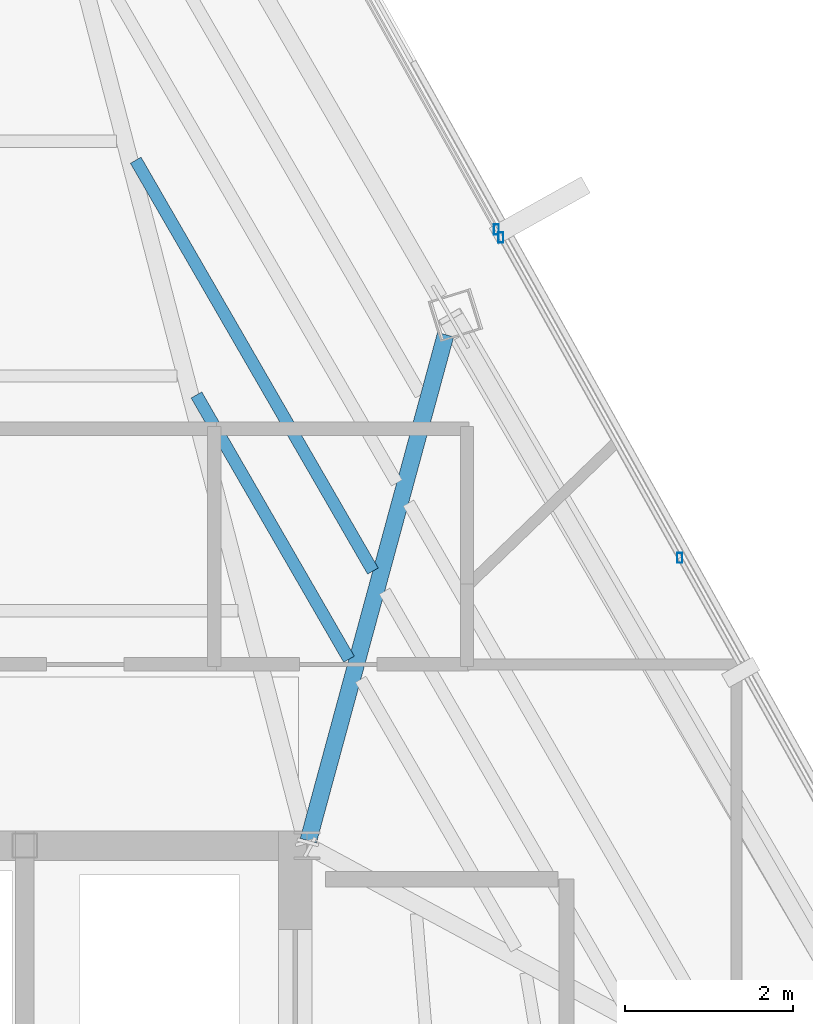
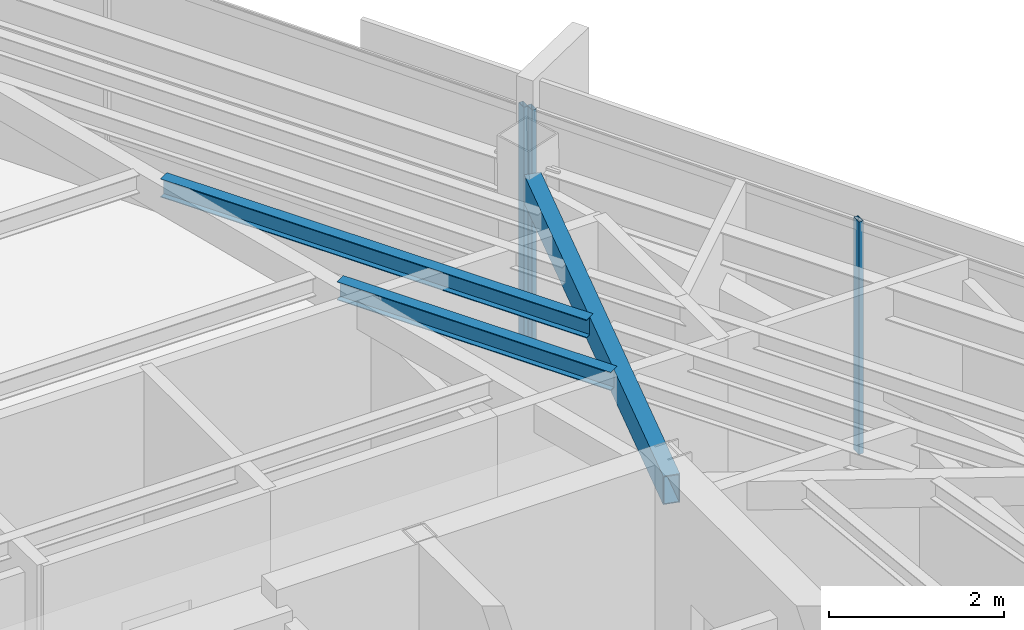
# One storey, part 31 of 44: 3 beams, 3 members, 2 elements without a shape of their own.
"""IFC4 building model written with IfcOpenShell, lengths in metres."""

from ifc_helpers import new_model, si_unit, direction, frame, origin, origin_2d, place, context, subcontext, project, spatial, hollow_rectangle, i_section, extrude, source, transform, mapped, material, material_profile, profile_set, type_object, type_shapes, element, aggregate, save


model = new_model("IFC4")

# Units and contexts
model_context = context("Model", 3, precision=1e-05, world=origin(), true_north=direction((0.0, 1.0)))
body_context = subcontext(model_context, "Body", "Model", "MODEL_VIEW")
ifc_project = project(units=[si_unit("LENGTHUNIT", "METRE"), si_unit("AREAUNIT", "SQUARE_METRE"), si_unit("VOLUMEUNIT", "CUBIC_METRE"), si_unit("PLANEANGLEUNIT", "RADIAN"), si_unit("MASSUNIT", "GRAM", prefix="KILO")], contexts=[model_context])

# Site, building, storey
site_placement = place(None, origin())
site = spatial("IfcSite", under=ifc_project, at=site_placement, CompositionType="ELEMENT")
building_placement = place(site_placement, origin())
building = spatial("IfcBuilding", under=site, at=building_placement, Name="Caelisora Broadcast Tower", CompositionType="ELEMENT")
storey_placement = place(building_placement, frame((0.0, 0.0, 280.949951171875)))
storey = spatial("IfcBuildingStorey", under=building, at=storey_placement, Name="L74", CompositionType="ELEMENT", Elevation=280.949951171875)

# Beams
ifc_material_1 = material(Name="Steel Grade 350 (AS/NZS 1163 C350L0)", Category="steel")
ifc_material_profile_1 = material_profile(ifc_material_1, hollow_rectangle(XDim=0.199951171875, YDim=0.39990234375, WallThickness=0.012451171875, at=origin_2d()), Name="Steel Grade 350 (AS/NZS 1163 C350L0)")
ifc_profile_set_1 = profile_set([ifc_material_profile_1], Name="Steel Grade 350 (AS/NZS 1163 C350L0)")
beam_type_1 = type_object("IfcBeamType", Name="PG07", PredefinedType="BEAM", material=ifc_profile_set_1)
shared_shape_1 = source(origin(), body_context, "Body", "SweptSolid", [
    extrude(hollow_rectangle(XDim=0.199951171875, YDim=0.39990234375, WallThickness=0.012451171875, at=origin_2d()), origin(), (0.0, 0.0, 1.0), 6.22509765625),
])
type_shapes(beam_type_1, [shared_shape_1])
beam_1_placement = place(storey_placement, frame((45.515625, 30.057861328125, 3.050048828125), z_axis=(0.261902623639, 0.965094304061, 0.0), x_axis=(-0.965094304061, 0.261902623639, 0.0)))
element("IfcBeam", 1, at=beam_1_placement, inside=storey, type_object=beam_type_1, Name="L74 beam PG07", PredefinedType="BEAM", context=body_context, shape_type="MappedRepresentation", body=[
    mapped(shared_shape_1, transform((0.0, 0.0, 0.0), scale=1.0)),
])
ifc_material_2 = material(Name="Steel Grade 350 (AS/NZS 3679.1)", Category="steel")
ifc_material_profile_2 = material_profile(ifc_material_2, i_section(OverallWidth=0.14599609375, OverallDepth=0.256103515625, WebThickness=0.00634765625, FlangeThickness=0.010986328125, at=origin_2d()), Name="Steel Grade 350 (AS/NZS 3679.1)")
ifc_profile_set_2 = profile_set([ifc_material_profile_2], Name="Steel Grade 350 (AS/NZS 3679.1)")
beam_type_2 = type_object("IfcBeamType", Name="SB04", PredefinedType="JOIST", material=ifc_profile_set_2)
shared_shape_2 = source(origin(), body_context, "Body", "SweptSolid", [
    extrude(i_section(OverallWidth=0.14599609375, OverallDepth=0.256103515625, WebThickness=0.00634765625, FlangeThickness=0.010986328125, at=origin_2d()), origin(), (0.0, 0.0, 1.0), 3.62255859375),
])
beam_2_placement = place(storey_placement, frame((45.998779296875, 32.212158203125, 3.1220703125), z_axis=(-0.500002478827, 0.866023972628, 0.0), x_axis=(-0.866023972628, -0.500002478827, 0.0)))
element("IfcBeam", 2, at=beam_2_placement, inside=storey, type_object=beam_type_2, Name="L74 beam SB04", PredefinedType="JOIST", context=body_context, shape_type="MappedRepresentation", body=[
    mapped(shared_shape_2, transform((0.0, 0.0, 0.0), scale=1.0)),
])
shared_shape_3 = source(origin(), body_context, "Body", "SweptSolid", [
    extrude(i_section(OverallWidth=0.14599609375, OverallDepth=0.256103515625, WebThickness=0.00634765625, FlangeThickness=0.010986328125, at=origin_2d()), origin(), (0.0, 0.0, 1.0), 5.6328125),
])
type_shapes(beam_type_2, [shared_shape_2, shared_shape_3])
beam_3_placement = place(storey_placement, frame((46.28271484375, 33.258544921875, 3.1220703125), z_axis=(-0.499998838572, 0.866026074334, 0.0), x_axis=(-0.866026074334, -0.499998838572, 0.0)))
element("IfcBeam", 3, at=beam_3_placement, inside=storey, type_object=beam_type_2, Name="L74 beam SB04", PredefinedType="JOIST", context=body_context, shape_type="MappedRepresentation", body=[
    mapped(shared_shape_3, transform((0.0, 0.0, 0.0), scale=1.0)),
])

# Curtain wall, member
ifc_material_3 = material(Name="Unitised Aluminium and Low-E Glass Curtain Wall", Category="glass")
curtain_wall_type_1 = type_object("IfcCurtainWallType", Name="CW-Z5", PredefinedType="NOTDEFINED", material=ifc_material_3)
curtain_wall_1_placement = place(storey_placement, origin())
curtain_wall_1 = element("IfcCurtainWall", 4, at=curtain_wall_1_placement, inside=storey, type_object=curtain_wall_type_1, Name="L74 curtain wall CW-Z5", PredefinedType="NOTDEFINED")
ifc_material_4 = material(Name="Aluminium 6063-T6 Anodised Terracotta Bronze", Category="aluminium")
ifc_material_profile_3 = material_profile(ifc_material_4, hollow_rectangle(XDim=0.06005859375, YDim=0.1201171875, WallThickness=0.0029296875, at=origin_2d()), Name="Aluminium 6063-T6 Anodised Terracotta Bronze")
ifc_profile_set_3 = profile_set([ifc_material_profile_3], Name="Aluminium 6063-T6 Anodised Terracotta Bronze")
member_type = type_object("IfcMemberType", Name="CWM-04", PredefinedType="MULLION", material=ifc_profile_set_3)
shared_shape_4 = source(origin(), body_context, "Body", "SweptSolid", [
    extrude(hollow_rectangle(XDim=0.06005859375, YDim=0.1201171875, WallThickness=0.0029296875, at=origin_2d()), origin(), (0.0, 0.0, 1.0), 3.25),
])
type_shapes(member_type, [shared_shape_4])
member_1_placement = place(storey_placement, frame((47.747802734375, 37.314453125, 0.0), z_axis=(0.0, 0.0, 1.0), x_axis=(1.0, 0.0, 0.0)))
member_1 = element("IfcMember", 5, at=member_1_placement, type_object=member_type, Name="L74-CW-B01 mullion #3", PredefinedType="MULLION", context=body_context, shape_type="MappedRepresentation", body=[
    mapped(shared_shape_4, transform((0.0, 0.0, 0.0), scale=1.0)),
])
aggregate(curtain_wall_1, [member_1])

# Curtain wall, members
ifc_material_5 = material(Name="Unitised Aluminium Insulated Shadow-Box Spandrel Curtain Wall", Category="aluminium")
curtain_wall_type_2 = type_object("IfcCurtainWallType", Name="CW-SP3", PredefinedType="NOTDEFINED", material=ifc_material_5)
curtain_wall_2_placement = place(storey_placement, origin())
curtain_wall_2 = element("IfcCurtainWall", 6, at=curtain_wall_2_placement, inside=storey, type_object=curtain_wall_type_2, Name="L74 curtain wall CW-SP3", PredefinedType="NOTDEFINED")
member_2_placement = place(storey_placement, frame((47.801513671875, 37.218505859375, 0.0), z_axis=(0.0, 0.0, 1.0), x_axis=(1.0, 0.0, 0.0)))
member_2 = element("IfcMember", 7, at=member_2_placement, type_object=member_type, Name="L74-CW-B02 mullion #0", PredefinedType="MULLION", context=body_context, shape_type="MappedRepresentation", body=[
    mapped(shared_shape_4, transform((0.0, 0.0, 0.0), scale=1.0)),
])
member_3_placement = place(storey_placement, frame((49.925537109375, 33.415283203125, 0.0), z_axis=(0.0, 0.0, 1.0), x_axis=(1.0, 0.0, 0.0)))
member_3 = element("IfcMember", 8, at=member_3_placement, type_object=member_type, Name="L74-CW-B02 mullion #1", PredefinedType="MULLION", context=body_context, shape_type="MappedRepresentation", body=[
    mapped(shared_shape_4, transform((0.0, 0.0, 0.0), scale=1.0)),
])
aggregate(curtain_wall_2, [member_2, member_3])

save(model, "model.ifc")
